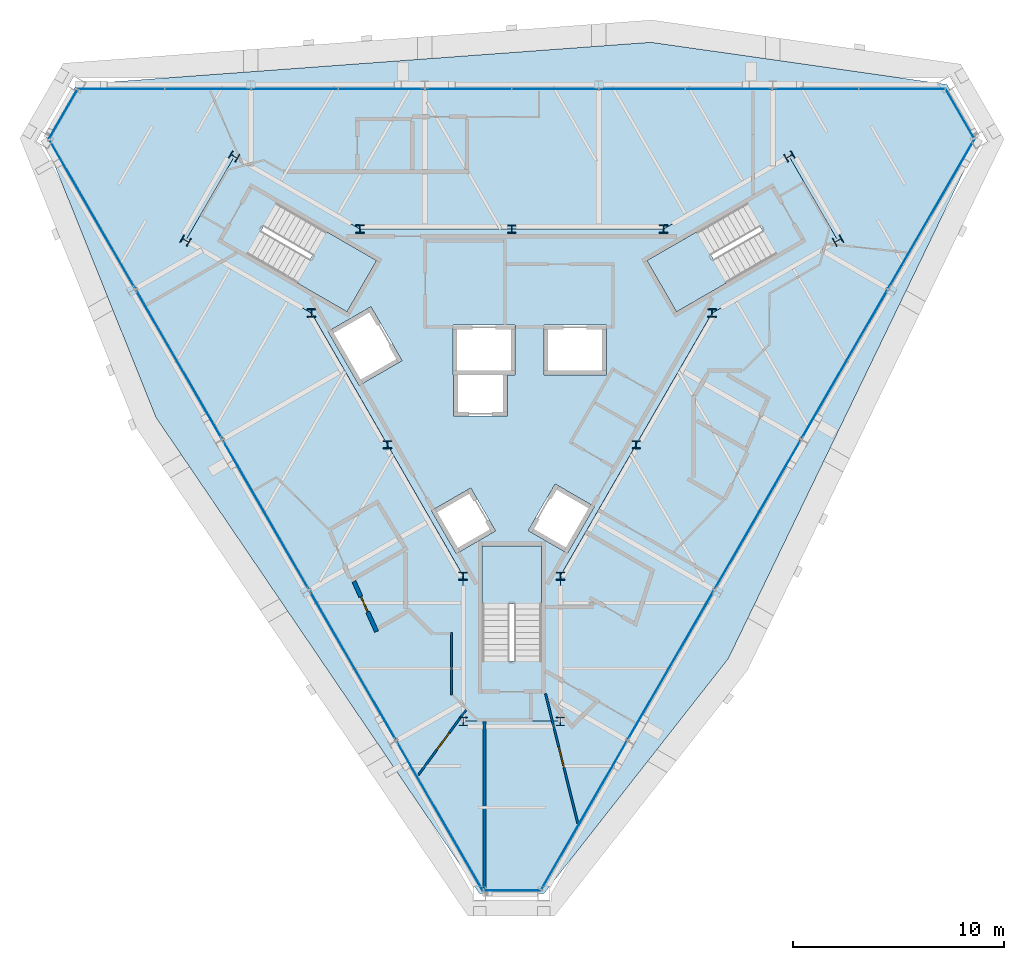
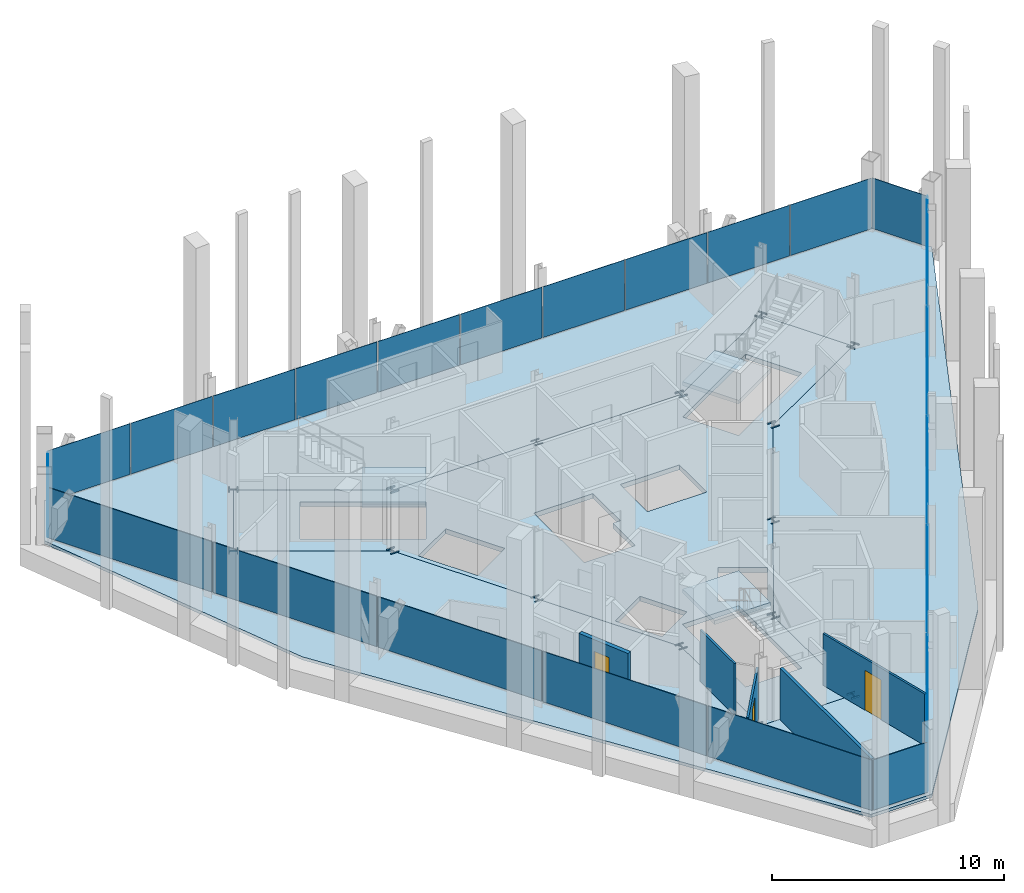
# One storey, part 7 of 12: 23 plates, 15 members, 5 slabs, 5 walls, 3 doors, 3 openings, 9 elements without a shape of their own.
"""IFC4 building model written with IfcOpenShell, lengths in metres."""

import ifcopenshell
import ifcopenshell.guid

model = None  # the IFC model being written
_history = None  # IfcOwnerHistory: only IFC2X3 demands one
_inside = {}  # id of a spatial element -> (the spatial element, [elements in it])
_under = {}  # id of a project, library or spatial element -> (it, [spatial elements below it])
_declared = {}  # id of a project -> (the project, [libraries it declares])
_typed = {}  # id of a type object -> (the type object, [elements of that type])
_made_of = {}  # id of a material, layer set ... -> (it, [elements and type objects made of it])


def new_model(schema):
    """Start an empty IFC model of exactly this schema.

    Asked for "IFC4X3", IfcOpenShell would pick the latest addendum, in which some entities
    have other attributes; the version numbers below select the first issue.
    IFC2X3 requires an IfcOwnerHistory on every rooted entity: one is made here for all.
    """
    global model, _history
    if schema == "IFC4X3":
        model = ifcopenshell.file(schema_version=(4, 3, 0, 0))
    else:
        model = ifcopenshell.file(schema=schema)
    _inside.clear()
    _under.clear()
    _declared.clear()
    _typed.clear()
    _made_of.clear()
    _history = None
    if model.schema == "IFC2X3":
        org = make("IfcOrganization", Name="unknown")
        user = make(
            "IfcPersonAndOrganization",
            ThePerson=make("IfcPerson", FamilyName="unknown"),
            TheOrganization=org,
        )
        app = make(
            "IfcApplication",
            ApplicationDeveloper=org,
            Version="unknown",
            ApplicationFullName="unknown",
            ApplicationIdentifier="unknown",
        )
        _history = make(
            "IfcOwnerHistory",
            OwningUser=user,
            OwningApplication=app,
            ChangeAction="ADDED",
            CreationDate=0,
        )
    return model


def make(cls, **values):
    """One entity of the class cls with the attributes given. An attribute that is None is left unset."""
    return model.create_entity(
        cls, **{name: value for name, value in values.items() if value is not None}
    )


def rooted(cls, **values):
    """An entity with a GlobalId (a new one), such as an element, a storey or a relation."""
    return make(cls, GlobalId=ifcopenshell.guid.new(), OwnerHistory=_history, **values)


def si_unit(unit_type, name, prefix=None):
    """IfcSIUnit, for example si_unit("LENGTHUNIT", "METRE", prefix="MILLI")."""
    return make("IfcSIUnit", UnitType=unit_type, Prefix=prefix, Name=name)


def assignment(units):
    """IfcUnitAssignment: the units of a project."""
    return None if units is None else make("IfcUnitAssignment", Units=units)


def point(xyz):
    """IfcCartesianPoint."""
    return None if xyz is None else make("IfcCartesianPoint", Coordinates=xyz)


def direction(xyz):
    """IfcDirection."""
    return None if xyz is None else make("IfcDirection", DirectionRatios=xyz)


def frame(location, z_axis=None, x_axis=None):
    """IfcAxis2Placement3D, a coordinate frame: its origin and axes. An axis left out is left unset."""
    return make(
        "IfcAxis2Placement3D",
        Location=point(location),
        Axis=direction(z_axis),
        RefDirection=direction(x_axis),
    )


def frame_2d(location, x_axis=None):
    """IfcAxis2Placement2D, a coordinate frame in the plane: its origin and x axis."""
    return make(
        "IfcAxis2Placement2D", Location=point(location), RefDirection=direction(x_axis)
    )


def origin():
    """The frame at (0, 0, 0) with its axes left unset."""
    return frame((0.0, 0.0, 0.0))


def origin_2d():
    """The frame at (0, 0) in the plane with its x axis left unset."""
    return frame_2d((0.0, 0.0))


def place(relative_to, where):
    """IfcLocalPlacement: puts the frame where relative to a parent placement (None: the world)."""
    return make(
        "IfcLocalPlacement", PlacementRelTo=relative_to, RelativePlacement=where
    )


def context(
    kind, dimensions, precision=None, world=None, true_north=None, identifier=None
):
    """IfcGeometricRepresentationContext, for example the 3D "Model" context."""
    return make(
        "IfcGeometricRepresentationContext",
        ContextIdentifier=identifier,
        ContextType=kind,
        CoordinateSpaceDimension=dimensions,
        Precision=precision,
        WorldCoordinateSystem=world,
        TrueNorth=true_north,
    )


def subcontext(parent, identifier, kind, view, scale=None):
    """IfcGeometricRepresentationSubContext, for example "Body" below "Model"."""
    return make(
        "IfcGeometricRepresentationSubContext",
        ContextIdentifier=identifier,
        ContextType=kind,
        ParentContext=parent,
        TargetScale=scale,
        TargetView=view,
    )


def project(units=None, contexts=None):
    """IfcProject with its units and contexts."""
    return rooted(
        "IfcProject",
        Name="project",
        RepresentationContexts=contexts,
        UnitsInContext=assignment(units),
    )


def spatial(cls, under=None, at=None, **own):
    """A site, building, storey or space (cls), placed at a placement, below another one or the project."""
    s = rooted(cls, ObjectPlacement=at, **own)
    if under is not None:
        _under.setdefault(under.id(), (under, []))[1].append(s)
    return s


def polyline(points):
    """IfcPolyline through the points."""
    return make("IfcPolyline", Points=[point(p) for p in points])


def profile(cls, at=None, kind="AREA", **sizes):
    """A parametric profile (cls). Its sizes go by their IFC names, for example OverallWidth=200.0."""
    return make(cls, ProfileType=kind, Position=at, **sizes)


def rectangle(**sizes):
    """IfcRectangleProfileDef."""
    return profile("IfcRectangleProfileDef", **sizes)


def i_section(**sizes):
    """IfcIShapeProfileDef."""
    return profile("IfcIShapeProfileDef", **sizes)


def outline(outer, holes=None, kind="AREA"):
    """IfcArbitraryClosedProfileDef: a profile drawn as a closed curve; with holes, ...WithVoids."""
    if holes is None:
        return make("IfcArbitraryClosedProfileDef", ProfileType=kind, OuterCurve=outer)
    return make(
        "IfcArbitraryProfileDefWithVoids",
        ProfileType=kind,
        OuterCurve=outer,
        InnerCurves=holes,
    )


def extrude(swept, where, along, depth):
    """IfcExtrudedAreaSolid: the profile swept, set in the frame where, extruded along a direction by depth."""
    return make(
        "IfcExtrudedAreaSolid",
        SweptArea=swept,
        Position=where,
        ExtrudedDirection=direction(along),
        Depth=depth,
    )


def shape(context_of_items, identifier, shape_type, items):
    """IfcShapeRepresentation: the items that make up one representation, for example the "Body"."""
    return make(
        "IfcShapeRepresentation",
        ContextOfItems=context_of_items,
        RepresentationIdentifier=identifier,
        RepresentationType=shape_type,
        Items=items,
    )


def material(Name=None, Category=None):
    """IfcMaterial."""
    return make("IfcMaterial", Name=Name, Category=Category)


def layer(
    of_material, thickness, ventilated=None, Name=None, Category=None, Priority=None
):
    """IfcMaterialLayer: one layer of a wall or slab, of a material (None: an air gap)."""
    return make(
        "IfcMaterialLayer",
        Material=of_material,
        LayerThickness=thickness,
        IsVentilated=ventilated,
        Name=Name,
        Category=Category,
        Priority=Priority,
    )


def layer_set(layers, Name=None):
    """IfcMaterialLayerSet."""
    return make("IfcMaterialLayerSet", MaterialLayers=layers, LayerSetName=Name)


def material_profile(
    of_material, cross_section, Name=None, Category=None, Priority=None
):
    """IfcMaterialProfile: a cross section and its material."""
    return make(
        "IfcMaterialProfile",
        Name=Name,
        Material=of_material,
        Profile=cross_section,
        Priority=Priority,
        Category=Category,
    )


def profile_set(profiles, Name=None, composite=None):
    """IfcMaterialProfileSet."""
    return make(
        "IfcMaterialProfileSet",
        Name=Name,
        MaterialProfiles=profiles,
        CompositeProfile=composite,
    )


def made_of(thing, what):
    """Note that an element or type object is made of a material, layer set ...; save() writes the relation."""
    if what is not None:
        _made_of.setdefault(what.id(), (what, []))[1].append(thing)
    return thing


def type_object(cls, material=None, **own):
    """A type object (cls), such as IfcWallType, which elements share."""
    return made_of(rooted(cls, **own), material)


def element(
    cls,
    number,
    at=None,
    inside=None,
    cuts=None,
    type_object=None,
    material=None,
    context=None,
    identifier="Body",
    shape_type=None,
    held_by="IfcProductDefinitionShape",
    body=None,
    shapes=None,
    **own,
):
    """One element of the class cls, such as IfcWall. Its Tag is "e" and its number.

    at: its placement. inside: the storey or other place that contains it. cuts: it is an
    opening in that element (IfcRelVoidsElement). A single representation is given by context,
    identifier, shape_type and body (its items); several are given by shapes. held_by: the class
    of the entity that holds the representations. save() writes the other relations.
    """
    e = rooted(cls, Tag="e%d" % number, ObjectPlacement=at, **own)
    if body is not None:
        shapes = [shape(context, identifier, shape_type, body)]
    if shapes is not None:
        e.Representation = make(held_by, Representations=shapes)
    if inside is not None:
        _inside.setdefault(inside.id(), (inside, []))[1].append(e)
    if cuts is not None:
        rooted(
            "IfcRelVoidsElement", RelatingBuildingElement=cuts, RelatedOpeningElement=e
        )
    if type_object is not None:
        _typed.setdefault(type_object.id(), (type_object, []))[1].append(e)
    return made_of(e, material)


def fill(opening, filler):
    """IfcRelFillsElement: the door or window that sits in an opening."""
    return rooted(
        "IfcRelFillsElement",
        RelatingOpeningElement=opening,
        RelatedBuildingElement=filler,
    )


def aggregate(whole, parts):
    """IfcRelAggregates: a whole, such as a stair, and the parts it consists of."""
    return rooted("IfcRelAggregates", RelatingObject=whole, RelatedObjects=parts)


def save(model, path):
    """Write the relations noted so far, then the file.

    IfcRelAggregates (storeys below a building ...), IfcRelContainedInSpatialStructure (elements
    in a storey), IfcRelDefinesByType, IfcRelAssociatesMaterial and IfcRelDeclares: one each for
    every whole, place, type object, material and project.
    """
    for whole, parts in _under.values():
        aggregate(whole, parts)
    for where, things in _inside.values():
        rooted(
            "IfcRelContainedInSpatialStructure",
            RelatedElements=things,
            RelatingStructure=where,
        )
    for kind, things in _typed.values():
        rooted("IfcRelDefinesByType", RelatedObjects=things, RelatingType=kind)
    for what, things in _made_of.values():
        rooted("IfcRelAssociatesMaterial", RelatedObjects=things, RelatingMaterial=what)
    for by, libraries in _declared.values():
        rooted("IfcRelDeclares", RelatingContext=by, RelatedDefinitions=libraries)
    model.write(path)


model = new_model("IFC4")

# Units and contexts
model_context = context("Model", 3, precision=1e-05, world=origin(), true_north=direction((0.0, 1.0)))
body_context = subcontext(model_context, "Body", "Model", "MODEL_VIEW")
ifc_project = project(units=[si_unit("LENGTHUNIT", "METRE"), si_unit("AREAUNIT", "SQUARE_METRE"), si_unit("VOLUMEUNIT", "CUBIC_METRE"), si_unit("PLANEANGLEUNIT", "RADIAN"), si_unit("MASSUNIT", "GRAM", prefix="KILO")], contexts=[model_context])

# Site, building, storey
site_placement = place(None, origin())
site = spatial("IfcSite", under=ifc_project, at=site_placement, CompositionType="ELEMENT")
building_placement = place(site_placement, origin())
building = spatial("IfcBuilding", under=site, at=building_placement, Name="Verrane Prism Tower", CompositionType="ELEMENT")
storey_placement = place(building_placement, frame((0.0, 0.0, 264.0)))
storey = spatial("IfcBuildingStorey", under=building, at=storey_placement, Name="L66", CompositionType="ELEMENT", Elevation=264.0)

# Members
ifc_material_1 = material(Name="Steel A992", Category="steel")
ifc_material_profile_1 = material_profile(ifc_material_1, i_section(OverallWidth=0.398681640625, OverallDepth=0.385986328125, WebThickness=0.02099609375, FlangeThickness=0.033203125, FilletRadius=0.01513671875, at=origin_2d()), Name="W14x176")
ifc_profile_set_1 = profile_set([ifc_material_profile_1], Name="Steel A992")
member_type_1 = type_object("IfcMemberType", Name="Kink node W14x176", PredefinedType="COLLAR", material=ifc_profile_set_1)
member_placement = place(storey_placement, frame((0.0, 6.802978515625, -0.030029296875), z_axis=(0.0, 0.0, 1.0), x_axis=(1.0, 0.0, 0.0)))
element("IfcMember", 1, at=member_placement, inside=storey, type_object=member_type_1, Name="Kink node CC4 L66", PredefinedType="COLLAR", context=body_context, shape_type="SweptSolid", body=[
    extrude(i_section(OverallWidth=0.398681640625, OverallDepth=0.385986328125, WebThickness=0.02099609375, FlangeThickness=0.033203125, FilletRadius=0.01513671875, at=origin_2d()), origin(), (0.0, 0.0, 1.0), 0.06005859375),
])
for number, where, z_axis, x_axis, name in (
    (2, (9.49169921875, 2.82666015625, -0.06494140625), (0.0, 0.0, 1.0), (1.0, 0.0, 0.0), "Kink node CC4 L66"),
    (3, (7.191650390625, 6.806640625, -0.06494140625), (0.0, 0.0, 1.0), (1.0, 0.0, 0.0), "Kink node CC4 L66"),
    (4, (-7.191650390625, 6.806640625, -0.06494140625), (0.0, 0.0, 1.0), (1.0, 0.0, 0.0), "Kink node CC4 L66"),
    (5, (-9.49169921875, 2.82666015625, -0.06494140625), (0.0, 0.0, 1.0), (1.0, 0.0, 0.0), "Kink node CC4 L66"),
):
    element("IfcMember", number, at=place(storey_placement, frame(where, z_axis=z_axis, x_axis=x_axis)), inside=storey, type_object=member_type_1, Name=name, PredefinedType="COLLAR", context=body_context, shape_type="SweptSolid", body=[
        extrude(i_section(OverallWidth=0.398681640625, OverallDepth=0.385986328125, WebThickness=0.02099609375, FlangeThickness=0.033203125, FilletRadius=0.01513671875, at=origin_2d()), origin(), (0.0, 0.0, 1.0), 0.1298828125),
    ])
for number, where, z_axis, x_axis, name in (
    (6, (5.8935546875, -3.402099609375, -0.0400390625), (0.0, 0.0, 1.0), (1.0, 0.0, 0.0), "Kink node CC4 L66"),
    (7, (-5.8935546875, -3.402099609375, -0.0400390625), (0.0, 0.0, 1.0), (1.0, 0.0, 0.0), "Kink node CC4 L66"),
):
    element("IfcMember", number, at=place(storey_placement, frame(where, z_axis=z_axis, x_axis=x_axis)), inside=storey, type_object=member_type_1, Name=name, PredefinedType="COLLAR", context=body_context, shape_type="SweptSolid", body=[
        extrude(i_section(OverallWidth=0.398681640625, OverallDepth=0.385986328125, WebThickness=0.02099609375, FlangeThickness=0.033203125, FilletRadius=0.01513671875, at=origin_2d()), origin(), (0.0, 0.0, 1.0), 0.080078125),
    ])
for number, where, z_axis, x_axis, name in (
    (8, (-2.300048828125, -9.63037109375, -0.050048828125), (0.0, 0.0, 1.0), (1.0, 0.0, 0.0), "Kink node CC4 L66"),
    (9, (2.300048828125, -9.63037109375, -0.050048828125), (0.0, 0.0, 1.0), (1.0, 0.0, 0.0), "Kink node CC4 L66"),
):
    element("IfcMember", number, at=place(storey_placement, frame(where, z_axis=z_axis, x_axis=x_axis)), inside=storey, type_object=member_type_1, Name=name, PredefinedType="COLLAR", context=body_context, shape_type="SweptSolid", body=[
        extrude(i_section(OverallWidth=0.398681640625, OverallDepth=0.385986328125, WebThickness=0.02099609375, FlangeThickness=0.033203125, FilletRadius=0.01513671875, at=origin_2d()), origin(), (0.0, 0.0, 1.0), 0.10009765625),
    ])
ifc_material_2 = material(Name="Steel A992", Category="steel")
ifc_material_profile_2 = material_profile(ifc_material_2, i_section(OverallWidth=0.4013671875, OverallDepth=0.398681640625, WebThickness=0.02490234375, FlangeThickness=0.03955078125, FilletRadius=0.01513671875, at=origin_2d()), Name="W14x211")
ifc_profile_set_2 = profile_set([ifc_material_profile_2], Name="Steel A992")
member_type_2 = type_object("IfcMemberType", Name="Kink node W14x211", PredefinedType="COLLAR", material=ifc_profile_set_2)
for number, where, z_axis, x_axis, name in (
    (10, (15.448974609375, 6.26513671875, -0.050048828125), (0.0, 0.0, 1.0), (0.5, -0.866025403784, 0.0), "Kink node CK5 L66"),
    (11, (13.14892578125, 10.2451171875, -0.050048828125), (0.0, 0.0, 1.0), (0.5, -0.866025403784, 0.0), "Kink node CK5 L66"),
    (12, (-13.14892578125, 10.2451171875, -0.050048828125), (0.0, 0.0, 1.0), (0.5, 0.866025403784, 0.0), "Kink node CK5 L66"),
    (13, (-15.448974609375, 6.26513671875, -0.050048828125), (0.0, 0.0, 1.0), (0.5, 0.866025403784, 0.0), "Kink node CK5 L66"),
    (14, (-2.300048828125, -16.510498046875, -0.050048828125), (0.0, 0.0, 1.0), (-1.0, 0.0, 0.0), "Kink node CK5 L66"),
    (15, (2.300048828125, -16.510498046875, -0.050048828125), (0.0, 0.0, 1.0), (-1.0, 0.0, 0.0), "Kink node CK5 L66"),
):
    element("IfcMember", number, at=place(storey_placement, frame(where, z_axis=z_axis, x_axis=x_axis)), inside=storey, type_object=member_type_2, Name=name, PredefinedType="COLLAR", context=body_context, shape_type="SweptSolid", body=[
        extrude(i_section(OverallWidth=0.4013671875, OverallDepth=0.398681640625, WebThickness=0.02490234375, FlangeThickness=0.03955078125, FilletRadius=0.01513671875, at=origin_2d()), origin(), (0.0, 0.0, 1.0), 0.10009765625),
    ])

# Slabs
ifc_material_3 = material(Name="Concrete C35/45", Category="concrete")
ifc_layer_1 = layer(ifc_material_3, 0.159912109375)
ifc_layer_set_1 = layer_set([ifc_layer_1], Name="Composite floor slab")
slab_type_1 = type_object("IfcSlabType", Name="Composite floor slab", PredefinedType="FLOOR", material=ifc_layer_set_1)
slab_1_placement = place(storey_placement, frame((0.0, 0.0, -0.159912109375)))
element("IfcSlab", 16, at=slab_1_placement, inside=storey, type_object=slab_type_1, Name="Floor slab L66", PredefinedType="FLOOR", context=body_context, shape_type="SweptSolid", body=[
    extrude(outline(polyline([(10.256591796875, -13.53515625), (1.51904296875, -24.6689453125), (-1.51904296875, -24.6689453125), (-16.85009765625, -2.114990234375), (-22.12353515625, 11.01904296875), (-20.6044921875, 13.64990234375), (6.593505859375, 15.64990234375), (20.6044921875, 13.64990234375), (22.12353515625, 11.01904296875), (10.256591796875, -13.53515625)]), holes=[polyline([(15.43994140625, 6.260009765625), (13.139892578125, 10.239990234375), (7.179931640625, 6.800048828125), (0.0, 6.800048828125), (-7.179931640625, 6.800048828125), (-13.139892578125, 10.239990234375), (-15.43994140625, 6.260009765625), (-9.47998046875, 2.820068359375), (-5.889892578125, -3.39990234375), (-2.300048828125, -9.6201171875), (-2.300048828125, -16.5), (2.300048828125, -16.5), (2.300048828125, -9.6201171875), (5.889892578125, -3.39990234375), (9.47998046875, 2.820068359375), (15.43994140625, 6.260009765625)])]), origin(), (0.0, 0.0, 1.0), 0.159912109375),
])
ifc_material_4 = material(Name="Concrete C40/50", Category="concrete")
ifc_layer_2 = layer(ifc_material_4, 0.25)
ifc_layer_set_2 = layer_set([ifc_layer_2], Name="Core floor slab 250 concrete C40/50")
slab_type_2 = type_object("IfcSlabType", Name="Core floor slab 250 concrete C40/50", PredefinedType="FLOOR", material=ifc_layer_set_2)
slab_2_placement = place(storey_placement, frame((0.0, 0.0, -0.25)))
element("IfcSlab", 17, at=slab_2_placement, inside=storey, type_object=slab_type_2, Name="Core floor L66", PredefinedType="FLOOR", context=body_context, shape_type="SweptSolid", body=[
    extrude(outline(polyline([(9.47998046875, 2.820068359375), (15.43994140625, 6.260009765625), (13.139892578125, 10.239990234375), (7.179931640625, 6.800048828125), (0.0, 6.800048828125), (-7.179931640625, 6.800048828125), (-13.139892578125, 10.239990234375), (-15.43994140625, 6.260009765625), (-9.47998046875, 2.820068359375), (-5.889892578125, -3.39990234375), (-2.300048828125, -9.6201171875), (-2.300048828125, -16.5), (2.300048828125, -16.5), (2.300048828125, -9.6201171875), (5.889892578125, -3.39990234375), (9.47998046875, 2.820068359375)]), holes=[polyline([(-1.39990234375, -8.199951171875), (1.39990234375, -8.199951171875), (1.39990234375, -13.639892578125), (-1.39990234375, -13.639892578125), (-1.39990234375, -8.199951171875)]), polyline([(-0.76708984375, -7.491943359375), (-2.62890625, -8.56689453125), (-3.803955078125, -6.531982421875), (-1.94189453125, -5.45703125), (-0.76708984375, -7.491943359375)]), polyline([(3.9140625, -6.341064453125), (2.638916015625, -8.550048828125), (0.777099609375, -7.47509765625), (2.052001953125, -5.26611328125), (3.9140625, -6.341064453125)]), polyline([(-2.784912109375, -0.10009765625), (-2.784912109375, 2.25), (0.1650390625, 2.25), (0.1650390625, -0.10009765625), (-0.205078125, -0.10009765625), (-0.205078125, -2.050048828125), (-2.7548828125, -2.050048828125), (-2.7548828125, -0.10009765625), (-2.784912109375, -0.10009765625)]), polyline([(4.47509765625, 2.25), (4.47509765625, -0.10009765625), (1.52490234375, -0.10009765625), (1.52490234375, 2.25), (4.47509765625, 2.25)]), polyline([(-8.7041015625, 1.955078125), (-6.66796875, 3.1298828125), (-5.193115234375, 0.574951171875), (-7.22900390625, -0.60009765625), (-8.7041015625, 1.955078125)]), polyline([(-6.40087890625, 5.31201171875), (-7.801025390625, 2.887939453125), (-12.512939453125, 5.60791015625), (-11.113037109375, 8.031982421875), (-6.40087890625, 5.31201171875)]), polyline([(7.801025390625, 2.887939453125), (6.40087890625, 5.31201171875), (11.113037109375, 8.031982421875), (12.512939453125, 5.60791015625), (7.801025390625, 2.887939453125)])]), origin(), (0.0, 0.0, 1.0), 0.25),
])

# Curtain wall, plates
ifc_material_5 = material(Name="Aluminium framed insulated glazing", Category="aluminium")
curtain_wall_type_1 = type_object("IfcCurtainWallType", Name="Curtain wall CW-C 4200 module", PredefinedType="NOTDEFINED", material=ifc_material_5)
curtain_wall_1_placement = place(storey_placement, origin())
curtain_wall_1 = element("IfcCurtainWall", 18, at=curtain_wall_1_placement, inside=storey, type_object=curtain_wall_type_1, Name="Glazed curtain wall north face L66", PredefinedType="NOTDEFINED")
ifc_material_6 = material(Name="Low-iron insulating glass unit", Category="glass")
ifc_layer_3 = layer(ifc_material_6, 0.02392578125)
ifc_layer_set_3 = layer_set([ifc_layer_3], Name="Glazing panel IGU 24")
plate_type_1 = type_object("IfcPlateType", Name="Glazing panel IGU 24", PredefinedType="CURTAIN_PANEL", material=ifc_layer_set_3)
plate_1_placement = place(storey_placement, frame((18.47900390625, 13.447265625, 0.0498046875), z_axis=(0.0, 0.0, 1.0), x_axis=(-1.0, 0.0, 0.0)))
plate_1 = element("IfcPlate", 19, at=plate_1_placement, type_object=plate_type_1, Name="CW66.2 panel 1", PredefinedType="CURTAIN_PANEL", context=body_context, shape_type="SweptSolid", body=[
    extrude(rectangle(XDim=4.0341796875, YDim=0.02392578125, at=origin_2d()), origin(), (0.0, 0.0, 1.0), 2.673095703125),
])
plate_2_placement = place(storey_placement, frame((14.38232421875, 13.447265625, 0.0498046875), z_axis=(0.0, 0.0, 1.0), x_axis=(-1.0, 0.0, 0.0)))
plate_2 = element("IfcPlate", 20, at=plate_2_placement, type_object=plate_type_1, Name="CW66.2 panel 2", PredefinedType="CURTAIN_PANEL", context=body_context, shape_type="SweptSolid", body=[
    extrude(rectangle(XDim=4.059326171875, YDim=0.02392578125, at=origin_2d()), origin(), (0.0, 0.0, 1.0), 2.673095703125),
])
plate_3_placement = place(storey_placement, frame((10.27294921875, 13.447265625, 0.0498046875), z_axis=(0.0, 0.0, 1.0), x_axis=(-1.0, 0.0, 0.0)))
plate_3 = element("IfcPlate", 21, at=plate_3_placement, type_object=plate_type_1, Name="CW66.2 panel 3", PredefinedType="CURTAIN_PANEL", context=body_context, shape_type="SweptSolid", body=[
    extrude(rectangle(XDim=4.059326171875, YDim=0.02392578125, at=origin_2d()), origin(), (0.0, 0.0, 1.0), 2.673095703125),
])
plate_4_placement = place(storey_placement, frame((6.163818359375, 13.447265625, 0.0498046875), z_axis=(0.0, 0.0, 1.0), x_axis=(-1.0, 0.0, 0.0)))
plate_4 = element("IfcPlate", 22, at=plate_4_placement, type_object=plate_type_1, Name="CW66.2 panel 4", PredefinedType="CURTAIN_PANEL", context=body_context, shape_type="SweptSolid", body=[
    extrude(rectangle(XDim=4.059326171875, YDim=0.02392578125, at=origin_2d()), origin(), (0.0, 0.0, 1.0), 2.673095703125),
])
plate_5_placement = place(storey_placement, frame((2.0546875, 13.447265625, 0.0498046875), z_axis=(0.0, 0.0, 1.0), x_axis=(-1.0, 0.0, 0.0)))
plate_5 = element("IfcPlate", 23, at=plate_5_placement, type_object=plate_type_1, Name="CW66.2 panel 5", PredefinedType="CURTAIN_PANEL", context=body_context, shape_type="SweptSolid", body=[
    extrude(rectangle(XDim=4.059326171875, YDim=0.02392578125, at=origin_2d()), origin(), (0.0, 0.0, 1.0), 2.673095703125),
])
plate_6_placement = place(storey_placement, frame((-2.0546875, 13.447265625, 0.0498046875), z_axis=(0.0, 0.0, 1.0), x_axis=(-1.0, 0.0, 0.0)))
plate_6 = element("IfcPlate", 24, at=plate_6_placement, type_object=plate_type_1, Name="CW66.2 panel 6", PredefinedType="CURTAIN_PANEL", context=body_context, shape_type="SweptSolid", body=[
    extrude(rectangle(XDim=4.059326171875, YDim=0.02392578125, at=origin_2d()), origin(), (0.0, 0.0, 1.0), 2.673095703125),
])
plate_7_placement = place(storey_placement, frame((-6.163818359375, 13.447265625, 0.0498046875), z_axis=(0.0, 0.0, 1.0), x_axis=(-1.0, 0.0, 0.0)))
plate_7 = element("IfcPlate", 25, at=plate_7_placement, type_object=plate_type_1, Name="CW66.2 panel 7", PredefinedType="CURTAIN_PANEL", context=body_context, shape_type="SweptSolid", body=[
    extrude(rectangle(XDim=4.059326171875, YDim=0.02392578125, at=origin_2d()), origin(), (0.0, 0.0, 1.0), 2.673095703125),
])
plate_8_placement = place(storey_placement, frame((-10.27294921875, 13.447265625, 0.0498046875), z_axis=(0.0, 0.0, 1.0), x_axis=(-1.0, 0.0, 0.0)))
plate_8 = element("IfcPlate", 26, at=plate_8_placement, type_object=plate_type_1, Name="CW66.2 panel 8", PredefinedType="CURTAIN_PANEL", context=body_context, shape_type="SweptSolid", body=[
    extrude(rectangle(XDim=4.059326171875, YDim=0.02392578125, at=origin_2d()), origin(), (0.0, 0.0, 1.0), 2.673095703125),
])
plate_9_placement = place(storey_placement, frame((-14.38232421875, 13.447265625, 0.0498046875), z_axis=(0.0, 0.0, 1.0), x_axis=(-1.0, 0.0, 0.0)))
plate_9 = element("IfcPlate", 27, at=plate_9_placement, type_object=plate_type_1, Name="CW66.2 panel 9", PredefinedType="CURTAIN_PANEL", context=body_context, shape_type="SweptSolid", body=[
    extrude(rectangle(XDim=4.059326171875, YDim=0.02392578125, at=origin_2d()), origin(), (0.0, 0.0, 1.0), 2.673095703125),
])
plate_10_placement = place(storey_placement, frame((-18.50390625, 13.447265625, 0.0498046875), z_axis=(0.0, 0.0, 1.0), x_axis=(-1.0, 0.0, 0.0)))
plate_10 = element("IfcPlate", 28, at=plate_10_placement, type_object=plate_type_1, Name="CW66.2 panel 10", PredefinedType="CURTAIN_PANEL", context=body_context, shape_type="SweptSolid", body=[
    extrude(rectangle(XDim=4.084228515625, YDim=0.02392578125, at=origin_2d()), origin(), (0.0, 0.0, 1.0), 2.673095703125),
])
aggregate(curtain_wall_1, [plate_1, plate_2, plate_3, plate_4, plate_5, plate_6, plate_7, plate_8, plate_9, plate_10])

# Curtain wall, plate
ifc_material_7 = material(Name="Aluminium framed insulated glazing", Category="aluminium")
curtain_wall_type_2 = type_object("IfcCurtainWallType", Name="Curtain wall CW-A 8400 module", PredefinedType="NOTDEFINED", material=ifc_material_7)
curtain_wall_2_placement = place(storey_placement, origin())
curtain_wall_2 = element("IfcCurtainWall", 29, at=curtain_wall_2_placement, inside=storey, type_object=curtain_wall_type_2, Name="Glazed curtain wall north-east corner L66", PredefinedType="NOTDEFINED")
ifc_material_8 = material(Name="Low-iron insulating glass unit", Category="glass")
ifc_layer_4 = layer(ifc_material_8, 0.031982421875)
ifc_layer_set_4 = layer_set([ifc_layer_4], Name="Glazing panel IGU 32")
plate_type_2 = type_object("IfcPlateType", Name="Glazing panel IGU 32", PredefinedType="CURTAIN_PANEL", material=ifc_layer_set_4)
plate_11_placement = place(storey_placement, frame((21.21484375, 12.288818359375, 0.06982421875), z_axis=(0.0, 0.0, 1.0), x_axis=(-0.500002040855, 0.866024225493, 0.0)))
plate_11 = element("IfcPlate", 30, at=plate_11_placement, type_object=plate_type_2, Name="CW66.1 panel 1", PredefinedType="CURTAIN_PANEL", context=body_context, shape_type="SweptSolid", body=[
    extrude(rectangle(XDim=2.67529296875, YDim=0.031982421875, at=origin_2d()), origin(), (0.0, 0.0, 1.0), 2.653076171875),
])
aggregate(curtain_wall_2, [plate_11])

curtain_wall_3_placement = place(storey_placement, origin())
curtain_wall_3 = element("IfcCurtainWall", 31, at=curtain_wall_3_placement, inside=storey, type_object=curtain_wall_type_2, Name="Glazed curtain wall north-west corner L66", PredefinedType="NOTDEFINED")
plate_12_placement = place(storey_placement, frame((-21.25, 12.228271484375, 0.06982421875), z_axis=(0.0, 0.0, 1.0), x_axis=(-0.500002040855, -0.866024225493, 0.0)))
plate_12 = element("IfcPlate", 32, at=plate_12_placement, type_object=plate_type_2, Name="CW66.3 panel 1", PredefinedType="CURTAIN_PANEL", context=body_context, shape_type="SweptSolid", body=[
    extrude(rectangle(XDim=2.67529296875, YDim=0.031982421875, at=origin_2d()), origin(), (0.0, 0.0, 1.0), 2.653076171875),
])
aggregate(curtain_wall_3, [plate_12])

# Curtain wall, plates
curtain_wall_4_placement = place(storey_placement, origin())
curtain_wall_4 = element("IfcCurtainWall", 33, at=curtain_wall_4_placement, inside=storey, type_object=curtain_wall_type_2, Name="Glazed curtain wall south-west face L66", PredefinedType="NOTDEFINED")
plate_13_placement = place(storey_placement, frame((-19.855224609375, 7.495849609375, 0.06982421875), z_axis=(0.0, 0.0, 1.0), x_axis=(0.500000938868, -0.866024861728, 0.0)))
plate_13 = element("IfcPlate", 34, at=plate_13_placement, type_object=plate_type_2, Name="CW66.4 panel 1", PredefinedType="CURTAIN_PANEL", context=body_context, shape_type="SweptSolid", body=[
    extrude(rectangle(XDim=8.113525390625, YDim=0.031982421875, at=origin_2d()), origin(), (0.0, 0.0, 1.0), 2.653076171875),
])
plate_14_placement = place(storey_placement, frame((-15.7548828125, 0.393798828125, 0.06982421875), z_axis=(0.0, 0.0, 1.0), x_axis=(0.500000938868, -0.866024861728, 0.0)))
plate_14 = element("IfcPlate", 35, at=plate_14_placement, type_object=plate_type_2, Name="CW66.4 panel 2", PredefinedType="CURTAIN_PANEL", context=body_context, shape_type="SweptSolid", body=[
    extrude(rectangle(XDim=8.1484375, YDim=0.031982421875, at=origin_2d()), origin(), (0.0, 0.0, 1.0), 2.653076171875),
])
plate_15_placement = place(storey_placement, frame((-11.645751953125, -6.7236328125, 0.06982421875), z_axis=(0.0, 0.0, 1.0), x_axis=(0.500000938868, -0.866024861728, 0.0)))
plate_15 = element("IfcPlate", 36, at=plate_15_placement, type_object=plate_type_2, Name="CW66.4 panel 3", PredefinedType="CURTAIN_PANEL", context=body_context, shape_type="SweptSolid", body=[
    extrude(rectangle(XDim=8.1484375, YDim=0.031982421875, at=origin_2d()), origin(), (0.0, 0.0, 1.0), 2.653076171875),
])
plate_16_placement = place(storey_placement, frame((-7.536376953125, -13.841064453125, 0.06982421875), z_axis=(0.0, 0.0, 1.0), x_axis=(0.500000938868, -0.866024861728, 0.0)))
plate_16 = element("IfcPlate", 37, at=plate_16_placement, type_object=plate_type_2, Name="CW66.4 panel 4", PredefinedType="CURTAIN_PANEL", context=body_context, shape_type="SweptSolid", body=[
    extrude(rectangle(XDim=8.1484375, YDim=0.031982421875, at=origin_2d()), origin(), (0.0, 0.0, 1.0), 2.653076171875),
])
plate_17_placement = place(storey_placement, frame((-3.41845703125, -20.973388671875, 0.06982421875), z_axis=(0.0, 0.0, 1.0), x_axis=(0.500000938868, -0.866024861728, 0.0)))
plate_17 = element("IfcPlate", 38, at=plate_17_placement, type_object=plate_type_2, Name="CW66.4 panel 5", PredefinedType="CURTAIN_PANEL", context=body_context, shape_type="SweptSolid", body=[
    extrude(rectangle(XDim=8.183349609375, YDim=0.031982421875, at=origin_2d()), origin(), (0.0, 0.0, 1.0), 2.653076171875),
])
aggregate(curtain_wall_4, [plate_13, plate_14, plate_15, plate_16, plate_17])

# Curtain wall, plate
curtain_wall_5_placement = place(storey_placement, origin())
curtain_wall_5 = element("IfcCurtainWall", 39, at=curtain_wall_5_placement, inside=storey, type_object=curtain_wall_type_2, Name="Glazed curtain wall south corner L66", PredefinedType="NOTDEFINED")
plate_18_placement = place(storey_placement, frame((0.034912109375, -24.51708984375, 0.06982421875), z_axis=(0.0, 0.0, 1.0), x_axis=(1.0, 0.0, 0.0)))
plate_18 = element("IfcPlate", 40, at=plate_18_placement, type_object=plate_type_2, Name="CW66.5 panel 1", PredefinedType="CURTAIN_PANEL", context=body_context, shape_type="SweptSolid", body=[
    extrude(rectangle(XDim=2.67529296875, YDim=0.031982421875, at=origin_2d()), origin(), (0.0, 0.0, 1.0), 2.653076171875),
])
aggregate(curtain_wall_5, [plate_18])

# Curtain wall, plates
curtain_wall_6_placement = place(storey_placement, origin())
curtain_wall_6 = element("IfcCurtainWall", 41, at=curtain_wall_6_placement, inside=storey, type_object=curtain_wall_type_2, Name="Glazed curtain wall south-east face L66", PredefinedType="NOTDEFINED")
plate_19_placement = place(storey_placement, frame((3.43603515625, -20.943115234375, 0.06982421875), z_axis=(0.0, 0.0, 1.0), x_axis=(0.500000938868, 0.866024861728, 0.0)))
plate_19 = element("IfcPlate", 42, at=plate_19_placement, type_object=plate_type_2, Name="CW66.6 panel 1", PredefinedType="CURTAIN_PANEL", context=body_context, shape_type="SweptSolid", body=[
    extrude(rectangle(XDim=8.113525390625, YDim=0.031982421875, at=origin_2d()), origin(), (0.0, 0.0, 1.0), 2.653076171875),
])
plate_20_placement = place(storey_placement, frame((7.536376953125, -13.841064453125, 0.06982421875), z_axis=(0.0, 0.0, 1.0), x_axis=(0.500000938868, 0.866024861728, 0.0)))
plate_20 = element("IfcPlate", 43, at=plate_20_placement, type_object=plate_type_2, Name="CW66.6 panel 2", PredefinedType="CURTAIN_PANEL", context=body_context, shape_type="SweptSolid", body=[
    extrude(rectangle(XDim=8.1484375, YDim=0.031982421875, at=origin_2d()), origin(), (0.0, 0.0, 1.0), 2.653076171875),
])
plate_21_placement = place(storey_placement, frame((11.645751953125, -6.7236328125, 0.06982421875), z_axis=(0.0, 0.0, 1.0), x_axis=(0.500000938868, 0.866024861728, 0.0)))
plate_21 = element("IfcPlate", 44, at=plate_21_placement, type_object=plate_type_2, Name="CW66.6 panel 3", PredefinedType="CURTAIN_PANEL", context=body_context, shape_type="SweptSolid", body=[
    extrude(rectangle(XDim=8.1484375, YDim=0.031982421875, at=origin_2d()), origin(), (0.0, 0.0, 1.0), 2.653076171875),
])
plate_22_placement = place(storey_placement, frame((15.7548828125, 0.393798828125, 0.06982421875), z_axis=(0.0, 0.0, 1.0), x_axis=(0.500000938868, 0.866024861728, 0.0)))
plate_22 = element("IfcPlate", 45, at=plate_22_placement, type_object=plate_type_2, Name="CW66.6 panel 4", PredefinedType="CURTAIN_PANEL", context=body_context, shape_type="SweptSolid", body=[
    extrude(rectangle(XDim=8.1484375, YDim=0.031982421875, at=origin_2d()), origin(), (0.0, 0.0, 1.0), 2.653076171875),
])
plate_23_placement = place(storey_placement, frame((19.872802734375, 7.5263671875, 0.06982421875), z_axis=(0.0, 0.0, 1.0), x_axis=(0.500000938868, 0.866024861728, 0.0)))
plate_23 = element("IfcPlate", 46, at=plate_23_placement, type_object=plate_type_2, Name="CW66.6 panel 5", PredefinedType="CURTAIN_PANEL", context=body_context, shape_type="SweptSolid", body=[
    extrude(rectangle(XDim=8.183349609375, YDim=0.031982421875, at=origin_2d()), origin(), (0.0, 0.0, 1.0), 2.653076171875),
])
aggregate(curtain_wall_6, [plate_19, plate_20, plate_21, plate_22, plate_23])

# Stair, slab
ifc_material_9 = material(Name="Concrete C40/50", Category="concrete")
stair_type = type_object("IfcStairType", Name="Exit stair 1300 dog-leg precast concrete C40/50", PredefinedType="HALF_TURN_STAIR", material=ifc_material_9)
stair_1_placement = place(storey_placement, origin())
stair_1 = element("IfcStair", 47, at=stair_1_placement, inside=storey, type_object=stair_type, Name="Stair 1 L66", PredefinedType="HALF_TURN_STAIR")
ifc_material_10 = material(Name="Concrete C40/50", Category="concrete")
ifc_layer_5 = layer(ifc_material_10, 0.199951171875)
ifc_layer_set_5 = layer_set([ifc_layer_5], Name="Stair landing 200 precast concrete C40/50")
slab_type_3 = type_object("IfcSlabType", Name="Stair landing 200 precast concrete C40/50", PredefinedType="LANDING", material=ifc_layer_set_5)
slab_3_placement = place(storey_placement, frame((0.0, 0.0, 1.64990234375)))
slab_3 = element("IfcSlab", 48, at=slab_3_placement, type_object=slab_type_3, Name="Stair 1 landing 1", PredefinedType="LANDING", context=body_context, shape_type="SweptSolid", body=[
    extrude(outline(polyline([(8.791748046875, 6.6923828125), (6.4013671875, 5.3125), (7.801513671875, 2.887451171875), (10.191650390625, 4.267578125), (8.791748046875, 6.6923828125)])), origin(), (0.0, 0.0, 1.0), 0.2001953125),
])
aggregate(stair_1, [slab_3])

stair_2_placement = place(storey_placement, origin())
stair_2 = element("IfcStair", 49, at=stair_2_placement, inside=storey, type_object=stair_type, Name="Stair 2 L66", PredefinedType="HALF_TURN_STAIR")
slab_4_placement = place(storey_placement, frame((0.0, 0.0, 1.64990234375)))
slab_4 = element("IfcSlab", 50, at=slab_4_placement, type_object=slab_type_3, Name="Stair 2 landing 1", PredefinedType="LANDING", context=body_context, shape_type="SweptSolid", body=[
    extrude(outline(polyline([(-10.191650390625, 4.267578125), (-7.801513671875, 2.887451171875), (-6.4013671875, 5.3125), (-8.791748046875, 6.6923828125), (-10.191650390625, 4.267578125)])), origin(), (0.0, 0.0, 1.0), 0.2001953125),
])
aggregate(stair_2, [slab_4])

stair_3_placement = place(storey_placement, origin())
stair_3 = element("IfcStair", 51, at=stair_3_placement, inside=storey, type_object=stair_type, Name="Stair 3 L66", PredefinedType="HALF_TURN_STAIR")
slab_5_placement = place(storey_placement, frame((0.0, 0.0, 1.64990234375)))
slab_5 = element("IfcSlab", 52, at=slab_5_placement, type_object=slab_type_3, Name="Stair 3 landing 1", PredefinedType="LANDING", context=body_context, shape_type="SweptSolid", body=[
    extrude(outline(polyline([(1.39990234375, -10.9599609375), (1.39990234375, -8.199951171875), (-1.39990234375, -8.199951171875), (-1.39990234375, -10.9599609375), (1.39990234375, -10.9599609375)])), origin(), (0.0, 0.0, 1.0), 0.2001953125),
])
aggregate(stair_3, [slab_5])

# Wall, opening, door
ifc_material_11 = material(Name="Gypsum board partition", Category="other")
ifc_layer_6 = layer(ifc_material_11, 0.10009765625)
ifc_layer_set_6 = layer_set([ifc_layer_6], Name="PW-100 room partition")
wall_type_1 = type_object("IfcWallType", Name="PW-100 room partition", PredefinedType="PARTITIONING", material=ifc_layer_set_6)
wall_1_placement = place(storey_placement, frame((-2.16357421875, -15.968017578125, 0.0), z_axis=(0.0, 0.0, 1.0), x_axis=(-0.591435630084, -0.806352215516, 0.0)))
wall_1 = element("IfcWall", 53, at=wall_1_placement, inside=storey, type_object=wall_type_1, Name="Room partition 023", PredefinedType="PARTITIONING", context=body_context, shape_type="SweptSolid", body=[
    extrude(rectangle(XDim=3.82373046875, YDim=0.10009765625, at=frame_2d((1.911865234375, 0.0))), origin(), (0.0, 0.0, 1.0), 2.722900390625),
])
opening_1_placement = place(wall_1_placement, frame((1.357666015625, 0.0, 0.0)))
opening_1 = element("IfcOpeningElement", 54, at=opening_1_placement, cuts=wall_1, Name="Opening D66016", PredefinedType="OPENING", context=body_context, shape_type="SweptSolid", body=[
    extrude(rectangle(XDim=1.0, YDim=2.10009765625, at=frame_2d((0.5, 1.050048828125))), frame((0.0, 0.06005859375, 0.0), z_axis=(0.0, -1.0, 0.0), x_axis=(1.0, 0.0, 0.0)), (0.0, 0.0, 1.0), 0.1201171875),
])
ifc_material_12 = material(Name="Timber veneered door leaf", Category="wood")
door_type_1 = type_object("IfcDoorType", Name="DR-1000x2100 single leaf inner", OperationType="NOTDEFINED", PredefinedType="DOOR", material=ifc_material_12)
door_1_placement = place(opening_1_placement, origin())
door_1 = element("IfcDoor", 55, at=door_1_placement, inside=storey, type_object=door_type_1, Name="Living And Dining Room door", OperationType="SINGLE_SWING_LEFT", OverallHeight=2.10009765625, OverallWidth=1.0, PredefinedType="DOOR", context=body_context, shape_type="SweptSolid", body=[
    extrude(rectangle(XDim=1.0, YDim=2.10009765625, at=frame_2d((0.5, 1.050048828125))), frame((0.0, 0.02490234375, 0.0), z_axis=(0.0, -1.0, 0.0), x_axis=(1.0, 0.0, 0.0)), (0.0, 0.0, 1.0), 0.050048828125),
])
fill(opening_1, door_1)

# Wall
wall_2_placement = place(storey_placement, frame((-2.85009765625, -15.25, 0.0), z_axis=(0.0, 0.0, 1.0), x_axis=(0.0, 1.0, 0.0)))
element("IfcWall", 56, at=wall_2_placement, inside=storey, type_object=wall_type_1, Name="Room partition 025", PredefinedType="PARTITIONING", context=body_context, shape_type="SweptSolid", body=[
    extrude(rectangle(XDim=2.9609375, YDim=0.10009765625, at=frame_2d((1.48046875, 0.0))), origin(), (0.0, 0.0, 1.0), 2.722900390625),
])

# Wall, opening, door
wall_3_placement = place(storey_placement, frame((3.127197265625, -21.334716796875, 0.0), z_axis=(0.0, 0.0, 1.0), x_axis=(-0.241554155251, 0.970387340231, 0.0)))
wall_3 = element("IfcWall", 57, at=wall_3_placement, inside=storey, type_object=wall_type_1, Name="Room partition 034", PredefinedType="PARTITIONING", context=body_context, shape_type="SweptSolid", body=[
    extrude(rectangle(XDim=6.322021484375, YDim=0.10009765625, at=frame_2d((3.1611328125, 0.0))), origin(), (0.0, 0.0, 1.0), 2.722900390625),
])
opening_2_placement = place(wall_3_placement, frame((2.721923828125, 0.0, 0.0)))
opening_2 = element("IfcOpeningElement", 58, at=opening_2_placement, cuts=wall_3, Name="Opening D66004", PredefinedType="OPENING", context=body_context, shape_type="SweptSolid", body=[
    extrude(rectangle(XDim=1.0, YDim=2.10009765625, at=frame_2d((0.5, 1.050048828125))), frame((0.0, 0.06005859375, 0.0), z_axis=(0.0, -1.0, 0.0), x_axis=(1.0, 0.0, 0.0)), (0.0, 0.0, 1.0), 0.1201171875),
])
door_2_placement = place(opening_2_placement, origin())
door_2 = element("IfcDoor", 59, at=door_2_placement, inside=storey, type_object=door_type_1, Name="Bedroom door", OperationType="SINGLE_SWING_LEFT", OverallHeight=2.10009765625, OverallWidth=1.0, PredefinedType="DOOR", context=body_context, shape_type="SweptSolid", body=[
    extrude(rectangle(XDim=1.0, YDim=2.10009765625, at=frame_2d((0.5, 1.050048828125))), frame((0.0, 0.02490234375, 0.0), z_axis=(0.0, -1.0, 0.0), x_axis=(1.0, 0.0, 0.0)), (0.0, 0.0, 1.0), 0.050048828125),
])
fill(opening_2, door_2)

# Wall
ifc_material_13 = material(Name="Gypsum board partition", Category="other")
ifc_layer_7 = layer(ifc_material_13, 0.14990234375)
ifc_layer_set_7 = layer_set([ifc_layer_7], Name="PW-150 demising wall 1 h")
wall_type_2 = type_object("IfcWallType", Name="PW-150 demising wall 1 h", PredefinedType="PARTITIONING", material=ifc_layer_set_7)
wall_4_placement = place(storey_placement, frame((-1.285888671875, -24.4208984375, 0.0), z_axis=(0.0, 0.0, 1.0), x_axis=(0.0, 1.0, 0.0)))
element("IfcWall", 60, at=wall_4_placement, inside=storey, type_object=wall_type_2, Name="Demising wall 030", PredefinedType="PARTITIONING", context=body_context, shape_type="SweptSolid", body=[
    extrude(rectangle(XDim=7.89599609375, YDim=0.14990234375, at=frame_2d((3.947998046875, 0.0))), origin(), (0.0, 0.0, 1.0), 2.722900390625),
])

# Wall, opening, door
ifc_material_14 = material(Name="Gypsum board partition", Category="other")
ifc_layer_8 = layer(ifc_material_14, 0.199951171875)
ifc_layer_set_8 = layer_set([ifc_layer_8], Name="PW-200 plumbing wall")
wall_type_3 = type_object("IfcWallType", Name="PW-200 plumbing wall", PredefinedType="PARTITIONING", material=ifc_layer_set_8)
wall_5_placement = place(storey_placement, frame((-7.4736328125, -9.88525390625, 0.0), z_axis=(0.0, 0.0, 1.0), x_axis=(0.411787773138, -0.911279775862, 0.0)))
wall_5 = element("IfcWall", 61, at=wall_5_placement, inside=storey, type_object=wall_type_3, Name="Plumbing wall 013", PredefinedType="PARTITIONING", context=body_context, shape_type="SweptSolid", body=[
    extrude(rectangle(XDim=2.602783203125, YDim=0.199951171875, at=frame_2d((1.30126953125, 0.0))), origin(), (0.0, 0.0, 1.0), 2.722900390625),
])
opening_3_placement = place(wall_5_placement, frame((0.7900390625, 0.0, 0.0)))
opening_3 = element("IfcOpeningElement", 62, at=opening_3_placement, cuts=wall_5, Name="Opening D66017", PredefinedType="OPENING", context=body_context, shape_type="SweptSolid", body=[
    extrude(rectangle(XDim=0.800048828125, YDim=2.10009765625, at=frame_2d((0.39990234375, 1.050048828125))), frame((0.0, 0.10986328125, 0.0), z_axis=(0.0, -1.0, 0.0), x_axis=(1.0, 0.0, 0.0)), (0.0, 0.0, 1.0), 0.219970703125),
])
ifc_material_15 = material(Name="Timber veneered door leaf", Category="wood")
door_type_2 = type_object("IfcDoorType", Name="DR-800x2100 single leaf inner", OperationType="NOTDEFINED", PredefinedType="DOOR", material=ifc_material_15)
door_3_placement = place(opening_3_placement, origin())
door_3 = element("IfcDoor", 63, at=door_3_placement, inside=storey, type_object=door_type_2, Name="Bathroom door", OperationType="SINGLE_SWING_LEFT", OverallHeight=2.10009765625, OverallWidth=0.800048828125, PredefinedType="DOOR", context=body_context, shape_type="SweptSolid", body=[
    extrude(rectangle(XDim=0.800048828125, YDim=2.10009765625, at=frame_2d((0.39990234375, 1.050048828125))), frame((0.0, 0.02490234375, 0.0), z_axis=(0.0, -1.0, 0.0), x_axis=(1.0, 0.0, 0.0)), (0.0, 0.0, 1.0), 0.050048828125),
])
fill(opening_3, door_3)

save(model, "model.ifc")
